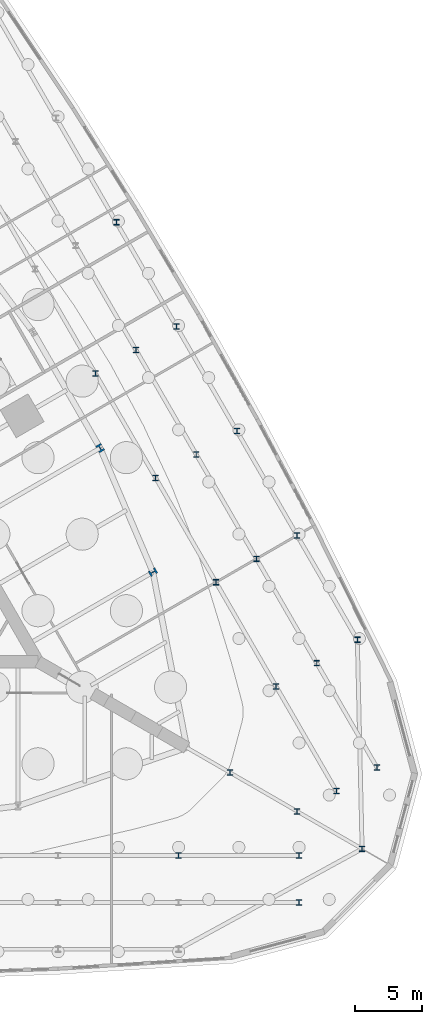
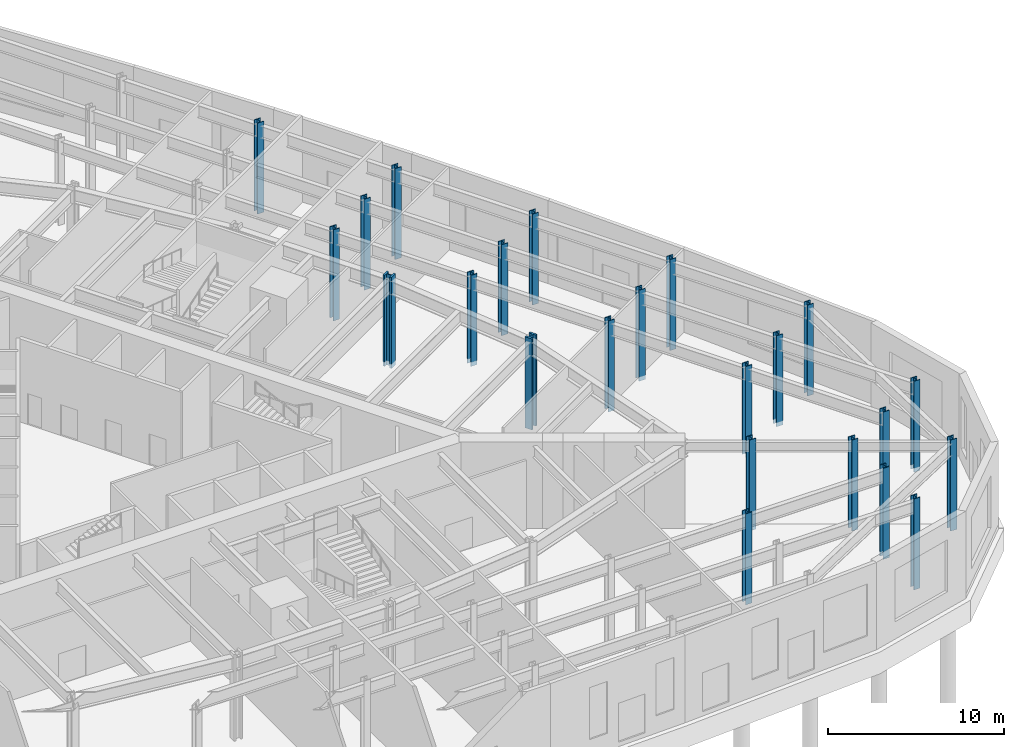
# One storey, part 5 of 17: 23 columns.
"""IFC4 building model written with IfcOpenShell, lengths in metres."""

from ifc_helpers import new_model, si_unit, direction, frame, origin, origin_2d, place, context, subcontext, project, spatial, i_section, extrude, material, material_profile, profile_set, type_object, element, save


model = new_model("IFC4")

# Units and contexts
model_context = context("Model", 3, precision=1e-05, world=origin(), true_north=direction((0.0, 1.0)))
body_context = subcontext(model_context, "Body", "Model", "MODEL_VIEW")
ifc_project = project(units=[si_unit("LENGTHUNIT", "METRE"), si_unit("AREAUNIT", "SQUARE_METRE"), si_unit("VOLUMEUNIT", "CUBIC_METRE"), si_unit("PLANEANGLEUNIT", "RADIAN"), si_unit("MASSUNIT", "GRAM", prefix="KILO")], contexts=[model_context])

# Site, building, storey
site_placement = place(None, origin())
site = spatial("IfcSite", under=ifc_project, at=site_placement, CompositionType="ELEMENT")
building_placement = place(site_placement, origin())
building = spatial("IfcBuilding", under=site, at=building_placement, Name="Trikona Tower", CompositionType="ELEMENT")
storey_placement = place(building_placement, origin())
storey = spatial("IfcBuildingStorey", under=building, at=storey_placement, Name="L00", CompositionType="ELEMENT", Elevation=0.0)

# Columns
ifc_material_1 = material(Name="Steel ASTM A992 Grade 50", Category="steel")
ifc_material_profile_1 = material_profile(ifc_material_1, i_section(OverallWidth=0.406494140625, OverallDepth=0.41650390625, WebThickness=0.030029296875, FlangeThickness=0.048095703125, at=origin_2d()), Name="W14X257")
ifc_profile_set_1 = profile_set([ifc_material_profile_1], Name="Steel ASTM A992 Grade 50")
column_type_1 = type_object("IfcColumnType", Name="Steel column W14x257", PredefinedType="COLUMN", material=ifc_profile_set_1)
for number, where, z_axis, x_axis, name in (
    (1, (30.83056640625, -17.800048828125, -0.300048828125), (0.0, 0.0, 1.0), (1.0, 0.0, 0.0), "Column K0D35.6"),
    (2, (35.853515625, -20.699951171875, -0.300048828125), (0.0, 0.0, 1.0), (1.0, 0.0, 0.0), "Column K0D41.4"),
    (3, (40.703125, -23.5, -0.300048828125), (0.0, 0.0, 1.0), (1.0, 0.0, 0.0), "Column K0D47"),
    (4, (27.0, -24.0, -0.300048828125), (0.0, 0.0, 1.0), (1.0, 0.0, 0.0), "Column R24F0p27"),
    (5, (36.0, -24.0, -0.300048828125), (0.0, 0.0, 1.0), (1.0, 0.0, 0.0), "Column R24F0p36"),
    (6, (29.78466796875, -3.58837890625, -0.300048828125), (0.0, 0.0, 1.0), (1.0, 0.0, 0.0), "Column R24F1m18"),
    (7, (34.28466796875, -11.3828125, -0.300048828125), (0.0, 0.0, 1.0), (1.0, 0.0, 0.0), "Column R24F1m27"),
    (8, (38.78466796875, -19.177001953125, -0.300048828125), (0.0, 0.0, 1.0), (1.0, 0.0, 0.0), "Column R24F1m36"),
    (9, (25.28466796875, 4.205810546875, -0.300048828125), (0.0, 0.0, 1.0), (1.0, 0.0, 0.0), "Column R24F1m9"),
    (10, (20.78466796875, 12.0, -0.300048828125), (0.0, 0.0, 1.0), (1.0, 0.0, 0.0), "Column R24F1p0"),
    (11, (36.0, -27.5, -0.300048828125), (0.0, 0.0, 1.0), (1.0, 0.0, 0.0), "Column R27.5F0p36"),
    (12, (32.815673828125, -1.83837890625, -0.300048828125), (0.0, 0.0, 1.0), (1.0, 0.0, 0.0), "Column R27.5F1m18"),
    (13, (37.315673828125, -9.6328125, -0.300048828125), (0.0, 0.0, 1.0), (1.0, 0.0, 0.0), "Column R27.5F1m27"),
    (14, (41.815673828125, -17.427001953125, -0.300048828125), (0.0, 0.0, 1.0), (1.0, 0.0, 0.0), "Column R27.5F1m36"),
    (15, (28.315673828125, 5.955810546875, -0.300048828125), (0.0, 0.0, 1.0), (1.0, 0.0, 0.0), "Column R27.5F1m9"),
    (16, (23.815673828125, 13.75, -0.300048828125), (0.0, 0.0, 1.0), (1.0, 0.0, 0.0), "Column R27.5F1p0"),
    (17, (35.8466796875, -0.08837890625, -0.300048828125), (0.0, 0.0, 1.0), (1.0, 0.0, 0.0), "Column R31F1m18"),
    (18, (40.3466796875, -7.8828125, -0.300048828125), (0.0, 0.0, 1.0), (1.0, 0.0, 0.0), "Column R31F1m27"),
    (19, (31.3466796875, 7.705810546875, -0.300048828125), (0.0, 0.0, 1.0), (1.0, 0.0, 0.0), "Column R31F1m9"),
    (20, (26.8466796875, 15.5, -0.300048828125), (0.0, 0.0, 1.0), (1.0, 0.0, 0.0), "Column R31F1p0"),
    (21, (22.3466796875, 23.294189453125, -0.300048828125), (0.0, 0.0, 1.0), (1.0, 0.0, 0.0), "Column R31F1p9"),
):
    element("IfcColumn", number, at=place(storey_placement, frame(where, z_axis=z_axis, x_axis=x_axis)), inside=storey, type_object=column_type_1, Name=name, PredefinedType="COLUMN", context=body_context, shape_type="SweptSolid", body=[
        extrude(i_section(OverallWidth=0.406494140625, OverallDepth=0.41650390625, WebThickness=0.030029296875, FlangeThickness=0.048095703125, at=origin_2d()), origin(), (0.0, 0.0, 1.0), 6.300048828125),
    ])
ifc_material_2 = material(Name="Steel ASTM A992 Grade 50", Category="steel")
ifc_material_profile_2 = material_profile(ifc_material_2, i_section(OverallWidth=0.45458984375, OverallDepth=0.56884765625, WebThickness=0.077880859375, FlangeThickness=0.124755859375, at=origin_2d()), Name="W14X730")
ifc_profile_set_2 = profile_set([ifc_material_profile_2], Name="Steel ASTM A992 Grade 50")
column_type_2 = type_object("IfcColumnType", Name="Steel column W14x730", PredefinedType="COLUMN", material=ifc_profile_set_2)
for number, where, z_axis, x_axis, name in (
    (22, (25.0830078125, -2.8388671875, -0.300048828125), (0.0, 0.0, 1.0), (-0.5, 0.866025403784, 0.0), "Column F1m15"),
    (23, (21.13720703125, 6.43017578125, -0.300048828125), (0.0, 0.0, 1.0), (0.866025403784, 0.5, 0.0), "Column F1m5"),
):
    element("IfcColumn", number, at=place(storey_placement, frame(where, z_axis=z_axis, x_axis=x_axis)), inside=storey, type_object=column_type_2, Name=name, PredefinedType="COLUMN", context=body_context, shape_type="SweptSolid", body=[
        extrude(i_section(OverallWidth=0.45458984375, OverallDepth=0.56884765625, WebThickness=0.077880859375, FlangeThickness=0.124755859375, at=origin_2d()), origin(), (0.0, 0.0, 1.0), 6.300048828125),
    ])

save(model, "model.ifc")
